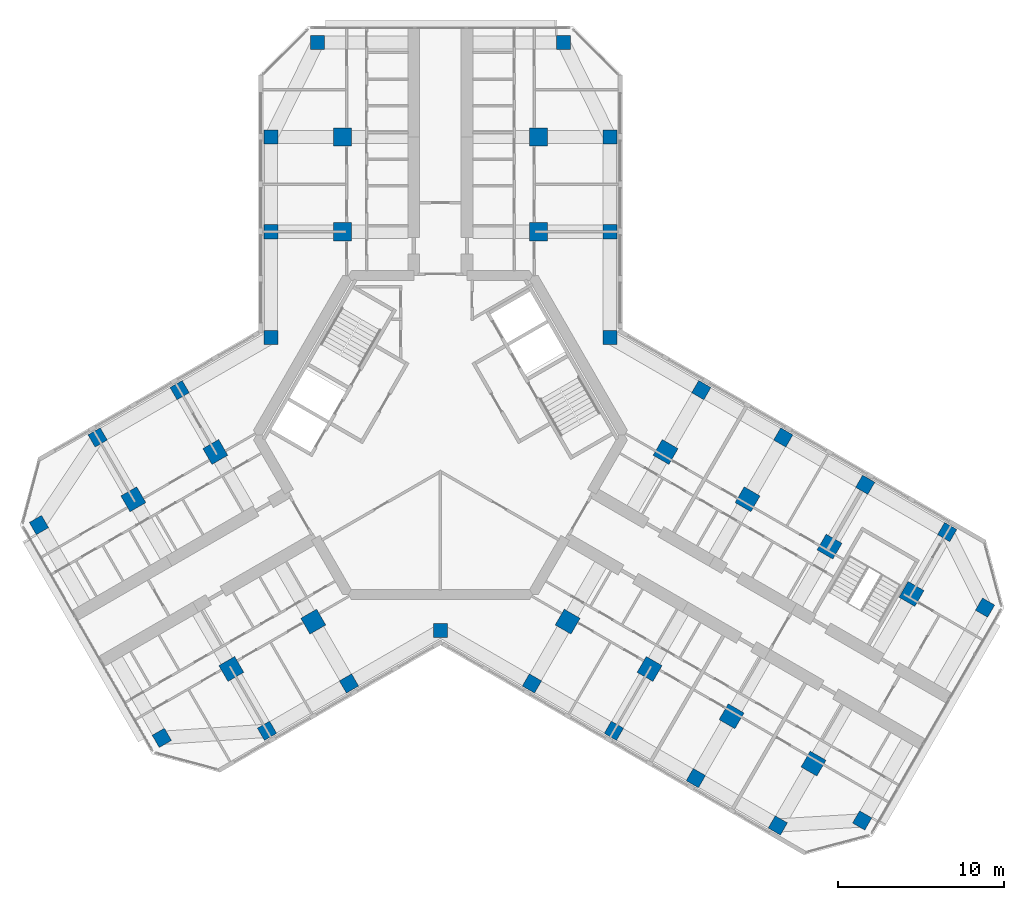
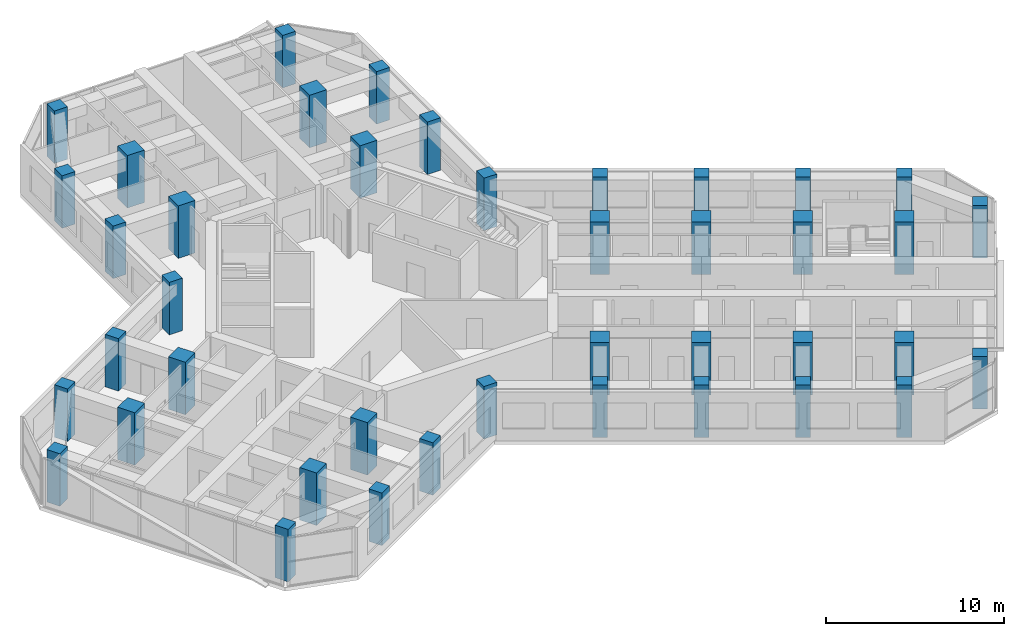
# One storey, part 1 of 16: 41 columns.
"""IFC4 building model written with IfcOpenShell, lengths in metres."""

from ifc_helpers import new_model, si_unit, direction, frame, origin, origin_2d, place, context, subcontext, project, spatial, rectangle, extrude, material, material_profile, profile_set, type_object, element, save


model = new_model("IFC4")

# Units and contexts
model_context = context("Model", 3, precision=1e-05, world=origin(), true_north=direction((0.0, 1.0)))
body_context = subcontext(model_context, "Body", "Model", "MODEL_VIEW")
ifc_project = project(units=[si_unit("LENGTHUNIT", "METRE"), si_unit("AREAUNIT", "SQUARE_METRE"), si_unit("VOLUMEUNIT", "CUBIC_METRE"), si_unit("PLANEANGLEUNIT", "RADIAN"), si_unit("MASSUNIT", "GRAM", prefix="KILO")], contexts=[model_context])

# Site, building, storey
site_placement = place(None, origin())
site = spatial("IfcSite", under=ifc_project, at=site_placement, CompositionType="ELEMENT")
building_placement = place(site_placement, origin())
building = spatial("IfcBuilding", under=site, at=building_placement, Name="Kosmar Iwan School Tower", CompositionType="ELEMENT")
storey_placement = place(building_placement, frame((0.0, 0.0, 235.199951171875)))
storey = spatial("IfcBuildingStorey", under=building, at=storey_placement, Name="L59", CompositionType="ELEMENT", Elevation=235.199951171875)

# Columns
ifc_material_1 = material(Name="Concrete C50/60", Category="concrete")
ifc_material_profile_1 = material_profile(ifc_material_1, rectangle(XDim=0.85009765625, YDim=0.85009765625, at=origin_2d()), Name="RC 850x850 + HD 400x347")
ifc_profile_set_1 = profile_set([ifc_material_profile_1], Name="Concrete C50/60")
column_type_1 = type_object("IfcColumnType", Name="Composite column 850x850 HD 400x347", PredefinedType="COLUMN", material=ifc_profile_set_1)
for number, where, z_axis, x_axis, name in (
    (1, (-10.199951171875, 12.25, 0.0), (0.0, 0.0, 1.0), (0.0, 1.0, 0.0), "Column AL1 L59"),
    (2, (-10.199951171875, 17.949951171875, 0.0), (0.0, 0.0, 1.0), (0.0, 1.0, 0.0), "Column AL2 L59"),
    (3, (-7.39990234375, 23.64990234375, 0.0), (0.0, 0.0, 1.0), (0.0, 1.0, 0.0), "Column ALTIP L59"),
    (4, (10.199951171875, 12.25, 0.0), (0.0, 0.0, 1.0), (0.0, 1.0, 0.0), "Column AR1 L59"),
    (5, (10.199951171875, 17.949951171875, 0.0), (0.0, 0.0, 1.0), (0.0, 1.0, 0.0), "Column AR2 L59"),
    (6, (7.39990234375, 23.64990234375, 0.0), (0.0, 0.0, 1.0), (0.0, 1.0, 0.0), "Column ARTIP L59"),
    (7, (-5.5087890625, -14.95849609375, 0.0), (0.0, 0.0, 1.0), (-0.866025403784, -0.5, 0.0), "Column BL1 L59"),
    (8, (-10.445068359375, -17.808349609375, 0.0), (0.0, 0.0, 1.0), (-0.866025403784, -0.5, 0.0), "Column BL2 L59"),
    (9, (-16.781494140625, -18.233642578125, 0.0), (0.0, 0.0, 1.0), (-0.866025403784, -0.5, 0.0), "Column BLTIP L59"),
    (10, (-15.708740234375, 2.70849609375, 0.0), (0.0, 0.0, 1.0), (-0.866025403784, -0.5, 0.0), "Column BR1 L59"),
    (11, (-20.645263671875, -0.1416015625, 0.0), (0.0, 0.0, 1.0), (-0.866025403784, -0.5, 0.0), "Column BR2 L59"),
    (12, (-24.181396484375, -5.41650390625, 0.0), (0.0, 0.0, 1.0), (-0.866025403784, -0.5, 0.0), "Column BRTIP L59"),
    (13, (15.708740234375, 2.70849609375, 0.0), (0.0, 0.0, 1.0), (0.866025403784, -0.5, 0.0), "Column CL1 L59"),
    (14, (20.645263671875, -0.1416015625, 0.0), (0.0, 0.0, 1.0), (0.866025403784, -0.5, 0.0), "Column CL2 L59"),
    (15, (25.58154296875, -2.991455078125, 0.0), (0.0, 0.0, 1.0), (0.866025403784, -0.5, 0.0), "Column CL3 L59"),
    (16, (30.517822265625, -5.841552734375, 0.0), (0.0, 0.0, 1.0), (0.866025403784, -0.5, 0.0), "Column CL4 L59"),
    (17, (32.79833984375, -10.391357421875, 0.0), (0.0, 0.0, 1.0), (0.866025403784, -0.5, 0.0), "Column CLTIP L59"),
    (18, (5.5087890625, -14.95849609375, 0.0), (0.0, 0.0, 1.0), (0.866025403784, -0.5, 0.0), "Column CR1 L59"),
    (19, (10.445068359375, -17.808349609375, 0.0), (0.0, 0.0, 1.0), (0.866025403784, -0.5, 0.0), "Column CR2 L59"),
    (20, (15.381591796875, -20.658447265625, 0.0), (0.0, 0.0, 1.0), (0.866025403784, -0.5, 0.0), "Column CR3 L59"),
    (21, (20.31787109375, -23.508544921875, 0.0), (0.0, 0.0, 1.0), (0.866025403784, -0.5, 0.0), "Column CR4 L59"),
    (22, (25.3984375, -23.20849609375, 0.0), (0.0, 0.0, 1.0), (0.866025403784, -0.5, 0.0), "Column CRTIP L59"),
    (23, (-10.199951171875, 5.888916015625, 0.0), (0.0, 0.0, 1.0), (1.0, 0.0, 0.0), "Column RAB L59"),
    (24, (10.199951171875, 5.888916015625, 0.0), (0.0, 0.0, 1.0), (1.0, 0.0, 0.0), "Column RAC L59"),
    (25, (0.0, -11.77783203125, 0.0), (0.0, 0.0, 1.0), (1.0, 0.0, 0.0), "Column RBC L59"),
):
    element("IfcColumn", number, at=place(storey_placement, frame(where, z_axis=z_axis, x_axis=x_axis)), inside=storey, type_object=column_type_1, Name=name, PredefinedType="COLUMN", context=body_context, shape_type="SweptSolid", body=[
        extrude(rectangle(XDim=0.85009765625, YDim=0.85009765625, at=origin_2d()), origin(), (0.0, 0.0, 1.0), 3.60009765625),
    ])
ifc_material_2 = material(Name="Concrete C50/60", Category="concrete")
ifc_material_profile_2 = material_profile(ifc_material_2, rectangle(XDim=1.10009765625, YDim=1.10009765625, at=origin_2d()), Name="RC 1100x1100")
ifc_profile_set_2 = profile_set([ifc_material_profile_2], Name="Concrete C50/60")
column_type_2 = type_object("IfcColumnType", Name="RC interior column 1100x1100", PredefinedType="COLUMN", material=ifc_profile_set_2)
for number, where, z_axis, x_axis, name in (
    (26, (-5.89990234375, 12.25, 0.0), (0.0, 0.0, 1.0), (0.0, 1.0, 0.0), "Interior column ALI1 L59"),
    (27, (-5.89990234375, 17.949951171875, 0.0), (0.0, 0.0, 1.0), (0.0, 1.0, 0.0), "Interior column ALI2 L59"),
    (28, (5.89990234375, 12.25, 0.0), (0.0, 0.0, 1.0), (0.0, 1.0, 0.0), "Interior column ARI1 L59"),
    (29, (5.89990234375, 17.949951171875, 0.0), (0.0, 0.0, 1.0), (0.0, 1.0, 0.0), "Interior column ARI2 L59"),
    (30, (-7.65869140625, -11.234619140625, 0.0), (0.0, 0.0, 1.0), (-0.866025403784, -0.5, 0.0), "Interior column BLI1 L59"),
    (31, (-12.59521484375, -14.08447265625, 0.0), (0.0, 0.0, 1.0), (-0.866025403784, -0.5, 0.0), "Interior column BLI2 L59"),
    (32, (-13.558837890625, -1.015380859375, 0.0), (0.0, 0.0, 1.0), (-0.866025403784, -0.5, 0.0), "Interior column BRI1 L59"),
    (33, (-18.4951171875, -3.865478515625, 0.0), (0.0, 0.0, 1.0), (-0.866025403784, -0.5, 0.0), "Interior column BRI2 L59"),
    (34, (13.558837890625, -1.015380859375, 0.0), (0.0, 0.0, 1.0), (0.866025403784, -0.5, 0.0), "Interior column CLI1 L59"),
    (35, (18.4951171875, -3.865478515625, 0.0), (0.0, 0.0, 1.0), (0.866025403784, -0.5, 0.0), "Interior column CLI2 L59"),
    (36, (23.431396484375, -6.71533203125, 0.0), (0.0, 0.0, 1.0), (0.866025403784, -0.5, 0.0), "Interior column CLI3 L59"),
    (37, (28.367919921875, -9.5654296875, 0.0), (0.0, 0.0, 1.0), (0.866025403784, -0.5, 0.0), "Interior column CLI4 L59"),
    (38, (7.65869140625, -11.234619140625, 0.0), (0.0, 0.0, 1.0), (0.866025403784, -0.5, 0.0), "Interior column CRI1 L59"),
    (39, (12.59521484375, -14.08447265625, 0.0), (0.0, 0.0, 1.0), (0.866025403784, -0.5, 0.0), "Interior column CRI2 L59"),
    (40, (17.531494140625, -16.9345703125, 0.0), (0.0, 0.0, 1.0), (0.866025403784, -0.5, 0.0), "Interior column CRI3 L59"),
    (41, (22.4677734375, -19.78466796875, 0.0), (0.0, 0.0, 1.0), (0.866025403784, -0.5, 0.0), "Interior column CRI4 L59"),
):
    element("IfcColumn", number, at=place(storey_placement, frame(where, z_axis=z_axis, x_axis=x_axis)), inside=storey, type_object=column_type_2, Name=name, PredefinedType="COLUMN", context=body_context, shape_type="SweptSolid", body=[
        extrude(rectangle(XDim=1.10009765625, YDim=1.10009765625, at=origin_2d()), origin(), (0.0, 0.0, 1.0), 3.60009765625),
    ])

save(model, "model.ifc")
